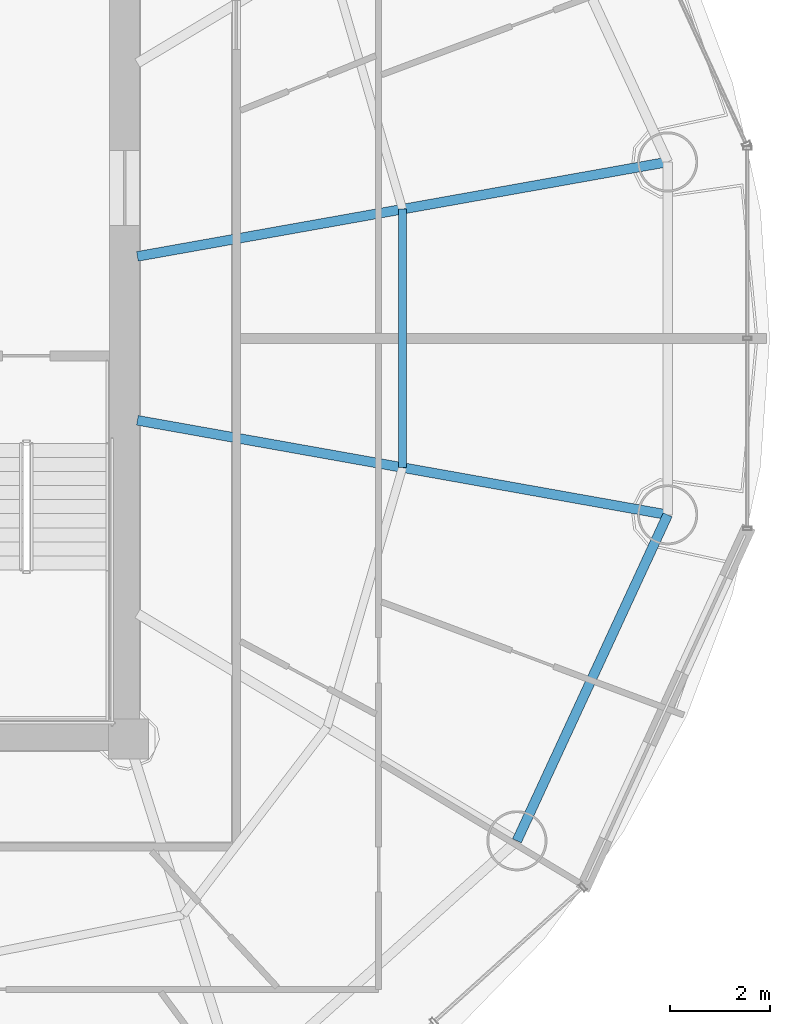
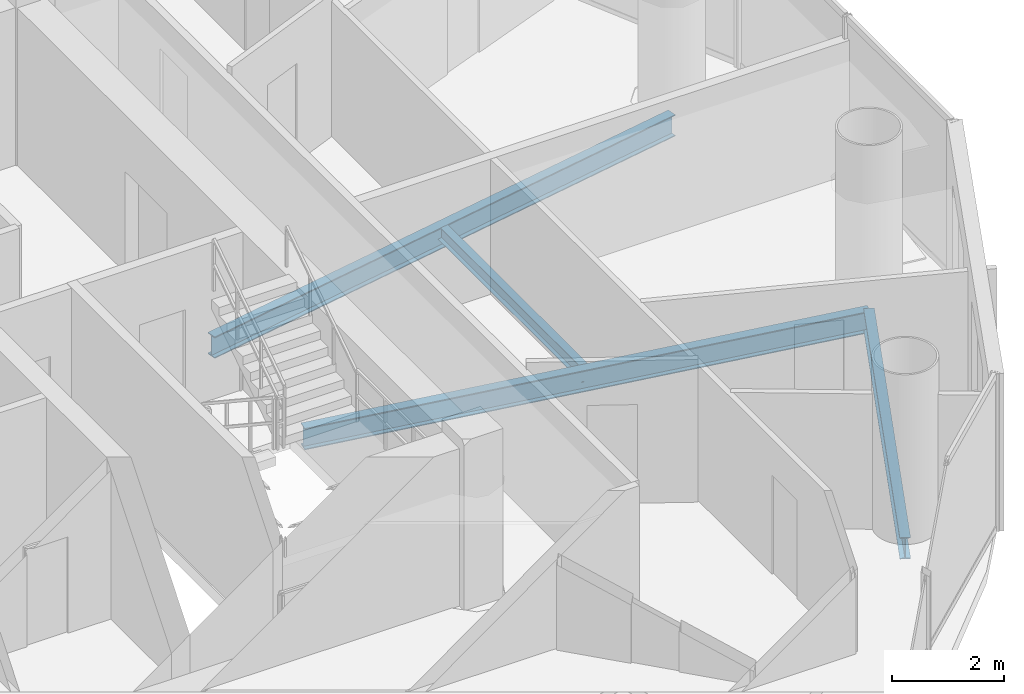
# One storey, part 11 of 26: 4 beams.
"""IFC4 building model written with IfcOpenShell, lengths in metres."""

from ifc_helpers import new_model, si_unit, direction, frame, origin, origin_2d, place, context, subcontext, project, spatial, i_section, extrude, material, material_profile, profile_set, type_object, element, save


model = new_model("IFC4")

# Units and contexts
model_context = context("Model", 3, precision=1e-05, world=origin(), true_north=direction((-0.2419218956, 0.970295726276)))
body_context = subcontext(model_context, "Body", "Model", "MODEL_VIEW")
ifc_project = project(units=[si_unit("LENGTHUNIT", "METRE"), si_unit("AREAUNIT", "SQUARE_METRE"), si_unit("VOLUMEUNIT", "CUBIC_METRE"), si_unit("PLANEANGLEUNIT", "RADIAN"), si_unit("MASSUNIT", "GRAM", prefix="KILO")], contexts=[model_context])

# Site, building, storey
site_placement = place(None, origin())
site = spatial("IfcSite", under=ifc_project, at=site_placement, CompositionType="ELEMENT")
building_placement = place(site_placement, origin())
building = spatial("IfcBuilding", under=site, at=building_placement, Name="Cobrevalo Terracotta Tower", CompositionType="ELEMENT")
storey_placement = place(building_placement, frame((0.0, 0.0, 217.10009765625)))
storey = spatial("IfcBuildingStorey", under=building, at=storey_placement, Name="L57", CompositionType="ELEMENT", Elevation=217.10009765625)

# Beams
ifc_material = material(Name="Steel S355", Category="steel")
ifc_material_profile_1 = material_profile(ifc_material, i_section(OverallWidth=0.194091796875, OverallDepth=0.468994140625, WebThickness=0.011474609375, FlangeThickness=0.0205078125, at=origin_2d()), Name="W 460x106")
ifc_profile_set_1 = profile_set([ifc_material_profile_1], Name="Steel S355")
beam_type_1 = type_object("IfcBeamType", Name="Structural Beam W 460x106 (Steel S355)", PredefinedType="BEAM", material=ifc_profile_set_1)
for number, where, z_axis, x_axis, name in (
    (1, (57.762939453125, 30.3212890625, -0.49951171875), (-0.98449712063, -0.175400739656, 0.0), (0.175400739656, -0.98449712063, 0.0), "L57 radial floor girder 01"),
    (2, (57.762939453125, 23.278564453125, -0.49951171875), (-0.984493198547, 0.175422752274, 0.0), (-0.175422752274, -0.984493198547, 0.0), "L57 radial floor girder 16"),
):
    element("IfcBeam", number, at=place(storey_placement, frame(where, z_axis=z_axis, x_axis=x_axis)), inside=storey, type_object=beam_type_1, Name=name, PredefinedType="BEAM", context=body_context, shape_type="SweptSolid", body=[
        extrude(i_section(OverallWidth=0.194091796875, OverallDepth=0.468994140625, WebThickness=0.011474609375, FlangeThickness=0.0205078125, at=origin_2d()), origin(), (0.0, 0.0, 1.0), 10.749755859375),
    ])
ifc_material_profile_2 = material_profile(ifc_material, i_section(OverallWidth=0.1650390625, OverallDepth=0.31005859375, WebThickness=0.005859375, FlangeThickness=0.009765625, at=origin_2d()), Name="W 310x38.7")
ifc_profile_set_2 = profile_set([ifc_material_profile_2], Name="Steel S355")
beam_type_2 = type_object("IfcBeamType", Name="Structural Joist W 310x38.7 (Steel S355)", PredefinedType="JOIST", material=ifc_profile_set_2)
beam_1_placement = place(storey_placement, frame((52.471435546875, 24.221435546875, -0.420166015625), z_axis=(0.0, 1.0, 0.0), x_axis=(-1.0, 0.0, 0.0)))
element("IfcBeam", 3, at=beam_1_placement, inside=storey, type_object=beam_type_2, Name="L57 circumferential secondary floor joist 16", PredefinedType="JOIST", context=body_context, shape_type="SweptSolid", body=[
    extrude(i_section(OverallWidth=0.1650390625, OverallDepth=0.31005859375, WebThickness=0.005859375, FlangeThickness=0.009765625, at=origin_2d()), origin(), (0.0, 0.0, 1.0), 5.1572265625),
])
ifc_material_profile_3 = material_profile(ifc_material, i_section(OverallWidth=0.194091796875, OverallDepth=0.468994140625, WebThickness=0.011474609375, FlangeThickness=0.0205078125, at=origin_2d()), Name="W 460x106")
ifc_profile_set_3 = profile_set([ifc_material_profile_3], Name="Steel S355")
beam_type_3 = type_object("IfcBeamType", Name="Structural Spandrel W 460x106 (Steel S355)", PredefinedType="SPANDREL", material=ifc_profile_set_3)
beam_2_placement = place(storey_placement, frame((54.754150390625, 16.77197265625, -0.49951171875), z_axis=(0.419718939129, 0.90765412583, 0.0), x_axis=(-0.90765412583, 0.419718939129, 0.0)))
element("IfcBeam", 4, at=beam_2_placement, inside=storey, type_object=beam_type_3, Name="L57 perimeter ring spandrel 15", PredefinedType="SPANDREL", context=body_context, shape_type="SweptSolid", body=[
    extrude(i_section(OverallWidth=0.194091796875, OverallDepth=0.468994140625, WebThickness=0.011474609375, FlangeThickness=0.0205078125, at=origin_2d()), origin(), (0.0, 0.0, 1.0), 7.168701171875),
])

save(model, "model.ifc")
